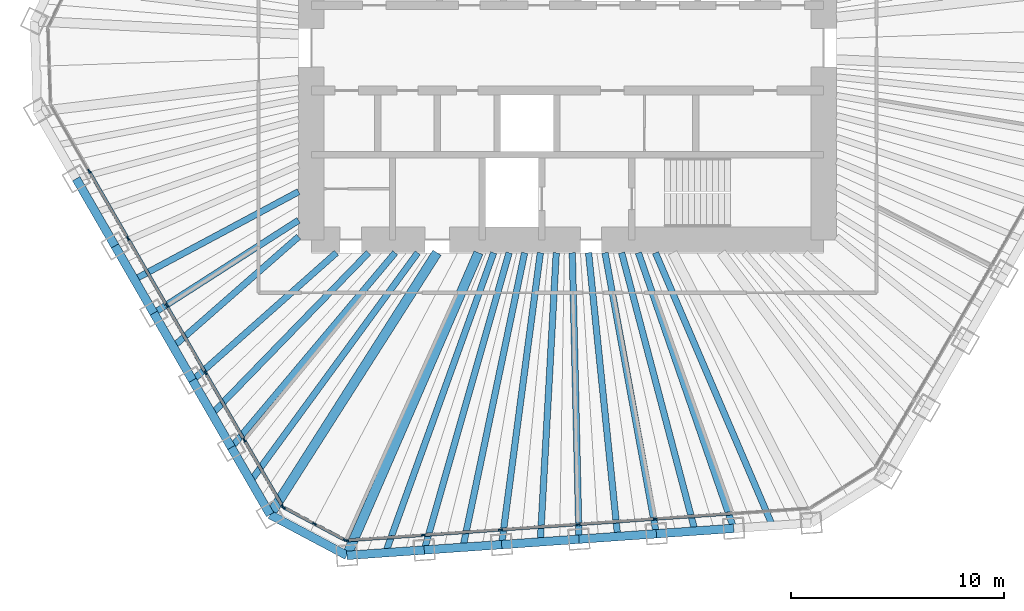
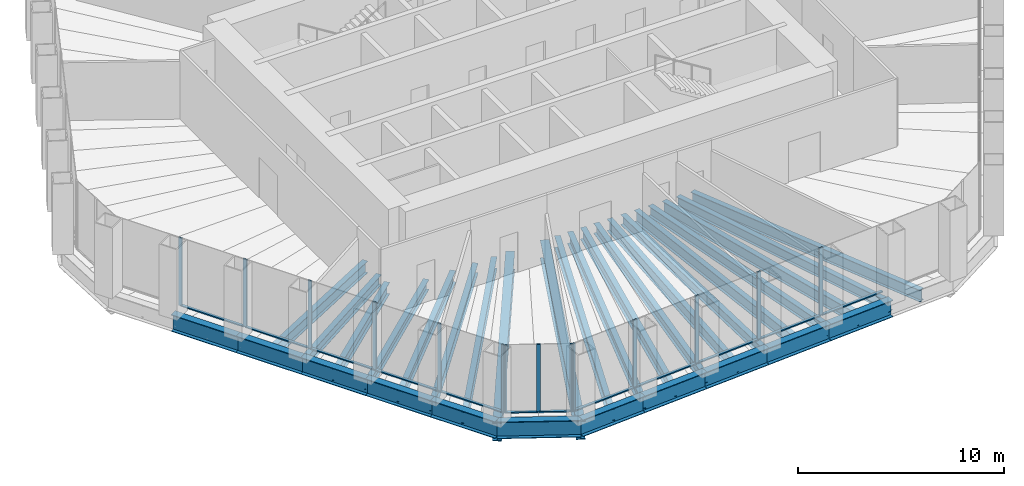
# One storey, part 2 of 13: 31 beams, 26 members, 3 elements without a shape of their own.
"""IFC4 building model written with IfcOpenShell, lengths in metres."""

from ifc_helpers import new_model, si_unit, direction, frame, origin, origin_2d, place, context, subcontext, project, spatial, rectangle, i_section, extrude, material, material_profile, profile_set, type_object, element, aggregate, save


model = new_model("IFC4")

# Units and contexts
model_context = context("Model", 3, precision=1e-05, world=origin(), true_north=direction((0.0, 1.0)))
body_context = subcontext(model_context, "Body", "Model", "MODEL_VIEW")
ifc_project = project(units=[si_unit("LENGTHUNIT", "METRE"), si_unit("AREAUNIT", "SQUARE_METRE"), si_unit("VOLUMEUNIT", "CUBIC_METRE"), si_unit("PLANEANGLEUNIT", "RADIAN"), si_unit("MASSUNIT", "GRAM", prefix="KILO")], contexts=[model_context])

# Site, building, storey
site_placement = place(None, origin())
site = spatial("IfcSite", under=ifc_project, at=site_placement, CompositionType="ELEMENT")
building_placement = place(site_placement, origin())
building = spatial("IfcBuilding", under=site, at=building_placement, Name="Qingtian Harvest Tower", CompositionType="ELEMENT")
storey_placement = place(building_placement, frame((0.0, 0.0, 222.39990234375)))
storey = spatial("IfcBuildingStorey", under=building, at=storey_placement, Name="L48", CompositionType="ELEMENT", Elevation=222.39990234375)

# Beams
ifc_material_1 = material(Name="Steel SM570MC", Category="steel")
ifc_material_profile_1 = material_profile(ifc_material_1, i_section(OverallWidth=0.449951171875, OverallDepth=1.10009765625, WebThickness=0.02197265625, FlangeThickness=0.044921875, at=origin_2d()), Name="H1100x450x22x45")
ifc_profile_set_1 = profile_set([ifc_material_profile_1], Name="Steel SM570MC")
beam_type_1 = type_object("IfcBeamType", Name="Corner floor beam FB8 H1100x450x22x45", PredefinedType="BEAM", material=ifc_profile_set_1)
beam_1_placement = place(storey_placement, frame((-10.33837890625, -23.779052734375, -0.719970703125), z_axis=(0.398714563353, 0.917075077063, 0.0), x_axis=(-0.917075077063, 0.398714563353, 0.0)))
element("IfcBeam", 1, at=beam_1_placement, inside=storey, type_object=beam_type_1, Name="Floor beam FB8 S6", PredefinedType="BEAM", context=body_context, shape_type="SweptSolid", body=[
    extrude(i_section(OverallWidth=0.449951171875, OverallDepth=1.10009765625, WebThickness=0.02197265625, FlangeThickness=0.044921875, at=origin_2d()), origin(), (0.0, 0.0, 1.0), 15.461181640625),
])
beam_2_placement = place(storey_placement, frame((-13.9326171875, -21.8681640625, -0.719970703125), z_axis=(0.537326103898, 0.8433745657, 0.0), x_axis=(-0.8433745657, 0.537326103898, 0.0)))
element("IfcBeam", 2, at=beam_2_placement, inside=storey, type_object=beam_type_1, Name="Floor beam FB8 SW0", PredefinedType="BEAM", context=body_context, shape_type="SweptSolid", body=[
    extrude(i_section(OverallWidth=0.449951171875, OverallDepth=1.10009765625, WebThickness=0.02197265625, FlangeThickness=0.044921875, at=origin_2d()), origin(), (0.0, 0.0, 1.0), 14.54638671875),
])
ifc_material_2 = material(Name="Steel SN490B", Category="steel")
ifc_material_profile_2 = material_profile(ifc_material_2, i_section(OverallWidth=0.300048828125, OverallDepth=0.699951171875, WebThickness=0.012939453125, FlangeThickness=0.02392578125, at=origin_2d()), Name="H700x300x13x24")
ifc_profile_set_2 = profile_set([ifc_material_profile_2], Name="Steel SN490B")
beam_type_2 = type_object("IfcBeamType", Name="Floor beam FB2 H700x300x13x24", PredefinedType="BEAM", material=ifc_profile_set_2)
beam_3_placement = place(storey_placement, frame((-6.713623046875, -23.525634765625, -0.52001953125), z_axis=(0.274411610503, 0.961612327303, 0.0), x_axis=(-0.961612327303, 0.274411610503, 0.0)))
element("IfcBeam", 3, at=beam_3_placement, inside=storey, type_object=beam_type_2, Name="Floor beam FB2 S5", PredefinedType="BEAM", context=body_context, shape_type="SweptSolid", body=[
    extrude(i_section(OverallWidth=0.300048828125, OverallDepth=0.699951171875, WebThickness=0.012939453125, FlangeThickness=0.02392578125, at=origin_2d()), origin(), (0.0, 0.0, 1.0), 14.4814453125),
])
ifc_material_3 = material(Name="Steel SN490B", Category="steel")
ifc_material_profile_3 = material_profile(ifc_material_3, i_section(OverallWidth=0.300048828125, OverallDepth=0.60009765625, WebThickness=0.011962890625, FlangeThickness=0.02001953125, at=origin_2d()), Name="H600x300x12x20")
ifc_profile_set_3 = profile_set([ifc_material_profile_3], Name="Steel SN490B")
beam_type_3 = type_object("IfcBeamType", Name="Floor beam FB3 H600x300x12x20", PredefinedType="BEAM", material=ifc_profile_set_3)
beam_4_placement = place(storey_placement, frame((7.78515625, -22.51171875, -0.469970703125), z_axis=(-0.326844175409, 0.945078242793, 0.0), x_axis=(-0.945078242793, -0.326844175409, 0.0)))
element("IfcBeam", 4, at=beam_4_placement, inside=storey, type_object=beam_type_3, Name="Floor beam FB3 S1", PredefinedType="BEAM", context=body_context, shape_type="SweptSolid", body=[
    extrude(i_section(OverallWidth=0.300048828125, OverallDepth=0.60009765625, WebThickness=0.011962890625, FlangeThickness=0.02001953125, at=origin_2d()), origin(), (0.0, 0.0, 1.0), 13.661865234375),
])
beam_5_placement = place(storey_placement, frame((4.160400390625, -22.76513671875, -0.469970703125), z_axis=(-0.179779537209, 0.983706926885, 0.0), x_axis=(-0.983706926885, -0.179779537209, 0.0)))
element("IfcBeam", 5, at=beam_5_placement, inside=storey, type_object=beam_type_3, Name="Floor beam FB3 S2", PredefinedType="BEAM", context=body_context, shape_type="SweptSolid", body=[
    extrude(i_section(OverallWidth=0.300048828125, OverallDepth=0.60009765625, WebThickness=0.011962890625, FlangeThickness=0.02001953125, at=origin_2d()), origin(), (0.0, 0.0, 1.0), 13.383056640625),
])
beam_6_placement = place(storey_placement, frame((0.53564453125, -23.018798828125, -0.469970703125), z_axis=(-0.023263902078, 0.999729358807, 0.0), x_axis=(-0.999729358807, -0.023263902078, 0.0)))
element("IfcBeam", 6, at=beam_6_placement, inside=storey, type_object=beam_type_3, Name="Floor beam FB3 S3", PredefinedType="BEAM", context=body_context, shape_type="SweptSolid", body=[
    extrude(i_section(OverallWidth=0.300048828125, OverallDepth=0.60009765625, WebThickness=0.011962890625, FlangeThickness=0.02001953125, at=origin_2d()), origin(), (0.0, 0.0, 1.0), 13.42236328125),
])
beam_7_placement = place(storey_placement, frame((-3.089111328125, -23.272216796875, -0.469970703125), z_axis=(0.131593229442, 0.991303799027, 0.0), x_axis=(-0.991303799027, 0.131593229442, 0.0)))
element("IfcBeam", 7, at=beam_7_placement, inside=storey, type_object=beam_type_3, Name="Floor beam FB3 S4", PredefinedType="BEAM", context=body_context, shape_type="SweptSolid", body=[
    extrude(i_section(OverallWidth=0.300048828125, OverallDepth=0.60009765625, WebThickness=0.011962890625, FlangeThickness=0.02001953125, at=origin_2d()), origin(), (0.0, 0.0, 1.0), 13.7919921875),
])
beam_8_placement = place(storey_placement, frame((-15.749267578125, -18.72119140625, -0.469970703125), z_axis=(0.643763532906, 0.765224485821, 0.0), x_axis=(-0.765224485821, 0.643763532906, 0.0)))
element("IfcBeam", 8, at=beam_8_placement, inside=storey, type_object=beam_type_3, Name="Floor beam FB3 SW1", PredefinedType="BEAM", context=body_context, shape_type="SweptSolid", body=[
    extrude(i_section(OverallWidth=0.300048828125, OverallDepth=0.60009765625, WebThickness=0.011962890625, FlangeThickness=0.02001953125, at=origin_2d()), origin(), (0.0, 0.0, 1.0), 11.91943359375),
])
beam_9_placement = place(storey_placement, frame((-17.566162109375, -15.574462890625, -0.469970703125), z_axis=(0.748259768664, 0.663405847577, 0.0), x_axis=(-0.663405847577, 0.748259768664, 0.0)))
element("IfcBeam", 9, at=beam_9_placement, inside=storey, type_object=beam_type_3, Name="Floor beam FB3 SW2", PredefinedType="BEAM", context=body_context, shape_type="SweptSolid", body=[
    extrude(i_section(OverallWidth=0.300048828125, OverallDepth=0.60009765625, WebThickness=0.011962890625, FlangeThickness=0.02001953125, at=origin_2d()), origin(), (0.0, 0.0, 1.0), 9.005615234375),
])
beam_10_placement = place(storey_placement, frame((-19.3828125, -12.427734375, -0.469970703125), z_axis=(0.841823714388, 0.539752567288, 0.0), x_axis=(-0.539752567288, 0.841823714388, 0.0)))
element("IfcBeam", 10, at=beam_10_placement, inside=storey, type_object=beam_type_3, Name="Floor beam FB3 SW3", PredefinedType="BEAM", context=body_context, shape_type="SweptSolid", body=[
    extrude(i_section(OverallWidth=0.300048828125, OverallDepth=0.60009765625, WebThickness=0.011962890625, FlangeThickness=0.02001953125, at=origin_2d()), origin(), (0.0, 0.0, 1.0), 8.05712890625),
])
ifc_material_4 = material(Name="Steel SN490B", Category="steel")
ifc_material_profile_4 = material_profile(ifc_material_4, i_section(OverallWidth=0.300048828125, OverallDepth=0.699951171875, WebThickness=0.012939453125, FlangeThickness=0.02392578125, at=origin_2d()), Name="H700x300x13x24")
ifc_profile_set_4 = profile_set([ifc_material_profile_4], Name="Steel SN490B")
beam_type_4 = type_object("IfcBeamType", Name="Floor joist J2 H700x300x13x24", PredefinedType="JOIST", material=ifc_profile_set_4)
beam_11_placement = place(storey_placement, frame((9.597412109375, -22.385009765625, -0.52001953125), z_axis=(-0.394052741766, 0.919087828614, 0.0), x_axis=(-0.919087828614, -0.394052741766, 0.0)))
element("IfcBeam", 11, at=beam_11_placement, inside=storey, type_object=beam_type_4, Name="Floor joist J2 S0", PredefinedType="JOIST", context=body_context, shape_type="SweptSolid", body=[
    extrude(i_section(OverallWidth=0.300048828125, OverallDepth=0.699951171875, WebThickness=0.012939453125, FlangeThickness=0.02392578125, at=origin_2d()), origin(), (0.0, 0.0, 1.0), 13.910400390625),
])
beam_12_placement = place(storey_placement, frame((5.97265625, -22.638427734375, -0.52001953125), z_axis=(-0.255103716232, 0.9669136952, 0.0), x_axis=(-0.9669136952, -0.255103716232, 0.0)))
element("IfcBeam", 12, at=beam_12_placement, inside=storey, type_object=beam_type_4, Name="Floor joist J2 S1", PredefinedType="JOIST", context=body_context, shape_type="SweptSolid", body=[
    extrude(i_section(OverallWidth=0.300048828125, OverallDepth=0.699951171875, WebThickness=0.012939453125, FlangeThickness=0.02392578125, at=origin_2d()), origin(), (0.0, 0.0, 1.0), 13.484375),
])
beam_13_placement = place(storey_placement, frame((2.347900390625, -22.89208984375, -0.52001953125), z_axis=(-0.102028865499, 0.994781438611, 0.0), x_axis=(-0.994781438611, -0.102028865499, 0.0)))
element("IfcBeam", 13, at=beam_13_placement, inside=storey, type_object=beam_type_4, Name="Floor joist J2 S2", PredefinedType="JOIST", context=body_context, shape_type="SweptSolid", body=[
    extrude(i_section(OverallWidth=0.300048828125, OverallDepth=0.699951171875, WebThickness=0.012939453125, FlangeThickness=0.02392578125, at=origin_2d()), origin(), (0.0, 0.0, 1.0), 13.36181640625),
])
beam_14_placement = place(storey_placement, frame((-1.276611328125, -23.1455078125, -0.52001953125), z_axis=(0.055069329716, 0.998482533109, 0.0), x_axis=(-0.998482533109, 0.055069329716, 0.0)))
element("IfcBeam", 14, at=beam_14_placement, inside=storey, type_object=beam_type_4, Name="Floor joist J2 S3", PredefinedType="JOIST", context=body_context, shape_type="SweptSolid", body=[
    extrude(i_section(OverallWidth=0.300048828125, OverallDepth=0.699951171875, WebThickness=0.012939453125, FlangeThickness=0.02392578125, at=origin_2d()), origin(), (0.0, 0.0, 1.0), 13.56591796875),
])
beam_15_placement = place(storey_placement, frame((-4.9013671875, -23.39892578125, -0.52001953125), z_axis=(0.205016322093, 0.978758554331, 0.0), x_axis=(-0.978758554331, 0.205016322093, 0.0)))
element("IfcBeam", 15, at=beam_15_placement, inside=storey, type_object=beam_type_4, Name="Floor joist J2 S4", PredefinedType="JOIST", context=body_context, shape_type="SweptSolid", body=[
    extrude(i_section(OverallWidth=0.300048828125, OverallDepth=0.699951171875, WebThickness=0.012939453125, FlangeThickness=0.02392578125, at=origin_2d()), origin(), (0.0, 0.0, 1.0), 14.098388671875),
])
beam_16_placement = place(storey_placement, frame((-8.526123046875, -23.65234375, -0.52001953125), z_axis=(0.339126305921, 0.940740850943, 0.0), x_axis=(-0.940740850943, 0.339126305921, 0.0)))
element("IfcBeam", 16, at=beam_16_placement, inside=storey, type_object=beam_type_4, Name="Floor joist J2 S5", PredefinedType="JOIST", context=body_context, shape_type="SweptSolid", body=[
    extrude(i_section(OverallWidth=0.300048828125, OverallDepth=0.699951171875, WebThickness=0.012939453125, FlangeThickness=0.02392578125, at=origin_2d()), origin(), (0.0, 0.0, 1.0), 14.9375),
])
beam_17_placement = place(storey_placement, frame((-14.841064453125, -20.294677734375, -0.52001953125), z_axis=(0.590288677526, 0.807192218238, 0.0), x_axis=(-0.807192218238, 0.590288677526, 0.0)))
element("IfcBeam", 17, at=beam_17_placement, inside=storey, type_object=beam_type_4, Name="Floor joist J2 SW0", PredefinedType="JOIST", context=body_context, shape_type="SweptSolid", body=[
    extrude(i_section(OverallWidth=0.300048828125, OverallDepth=0.699951171875, WebThickness=0.012939453125, FlangeThickness=0.02392578125, at=origin_2d()), origin(), (0.0, 0.0, 1.0), 13.2490234375),
])
beam_18_placement = place(storey_placement, frame((-16.65771484375, -17.14794921875, -0.52001953125), z_axis=(0.696777499009, 0.717287332158, 0.0), x_axis=(-0.717287332158, 0.696777499009, 0.0)))
element("IfcBeam", 18, at=beam_18_placement, inside=storey, type_object=beam_type_4, Name="Floor joist J2 SW1", PredefinedType="JOIST", context=body_context, shape_type="SweptSolid", body=[
    extrude(i_section(OverallWidth=0.300048828125, OverallDepth=0.699951171875, WebThickness=0.012939453125, FlangeThickness=0.02392578125, at=origin_2d()), origin(), (0.0, 0.0, 1.0), 10.522705078125),
])
beam_19_placement = place(storey_placement, frame((-18.474609375, -14.001220703125, -0.52001953125), z_axis=(0.751883296969, 0.659296221542, 0.0), x_axis=(-0.659296221542, 0.751883296969, 0.0)))
element("IfcBeam", 19, at=beam_19_placement, inside=storey, type_object=beam_type_4, Name="Floor joist J2 SW2", PredefinedType="JOIST", context=body_context, shape_type="SweptSolid", body=[
    extrude(i_section(OverallWidth=0.300048828125, OverallDepth=0.699951171875, WebThickness=0.012939453125, FlangeThickness=0.02392578125, at=origin_2d()), origin(), (0.0, 0.0, 1.0), 7.81298828125),
])
beam_20_placement = place(storey_placement, frame((-20.291259765625, -10.8544921875, -0.52001953125), z_axis=(0.881766503154, 0.471686160402, 0.0), x_axis=(-0.471686160402, 0.881766503154, 0.0)))
element("IfcBeam", 20, at=beam_20_placement, inside=storey, type_object=beam_type_4, Name="Floor joist J2 SW3", PredefinedType="JOIST", context=body_context, shape_type="SweptSolid", body=[
    extrude(i_section(OverallWidth=0.300048828125, OverallDepth=0.699951171875, WebThickness=0.012939453125, FlangeThickness=0.02392578125, at=origin_2d()), origin(), (0.0, 0.0, 1.0), 8.722412109375),
])

# Curtain wall, members
ifc_material_5 = material(Name="Bronze-anodised aluminium curtain wall", Category="aluminium")
curtain_wall_type = type_object("IfcCurtainWallType", Name="Curtain wall CW4 office", PredefinedType="USERDEFINED", material=ifc_material_5)
curtain_wall_1_placement = place(storey_placement, origin())
curtain_wall_1 = element("IfcCurtainWall", 21, at=curtain_wall_1_placement, inside=storey, type_object=curtain_wall_type, Name="Curtain wall CW4 L48 S0-5", ObjectType="RECESSED CURTAIN WALL", PredefinedType="USERDEFINED")
ifc_material_6 = material(Name="Bronze-anodised aluminium mullion", Category="aluminium")
ifc_material_profile_5 = material_profile(ifc_material_6, rectangle(XDim=0.06494140625, YDim=0.199951171875, at=origin_2d()), Name="AL 65x200")
ifc_profile_set_5 = profile_set([ifc_material_profile_5], Name="Bronze-anodised aluminium mullion")
member_type_1 = type_object("IfcMemberType", Name="Mullion CWM 65x200", PredefinedType="MULLION", material=ifc_profile_set_5)
member_1_placement = place(storey_placement, frame((4.111572265625, -22.06689453125, 0.0), z_axis=(0.0, 0.0, 1.0), x_axis=(0.069756473744, -0.99756405026, 0.0)))
member_1 = element("IfcMember", 22, at=member_1_placement, type_object=member_type_1, Name="CW4 mullion 3", PredefinedType="MULLION", context=body_context, shape_type="SweptSolid", body=[
    extrude(rectangle(XDim=0.06494140625, YDim=0.199951171875, at=origin_2d()), origin(), (0.0, 0.0, 1.0), 4.030029296875),
])
member_2_placement = place(storey_placement, frame((0.48681640625, -22.3203125, 0.0), z_axis=(0.0, 0.0, 1.0), x_axis=(0.069756473744, -0.99756405026, 0.0)))
member_2 = element("IfcMember", 23, at=member_2_placement, type_object=member_type_1, Name="CW4 mullion 4", PredefinedType="MULLION", context=body_context, shape_type="SweptSolid", body=[
    extrude(rectangle(XDim=0.06494140625, YDim=0.199951171875, at=origin_2d()), origin(), (0.0, 0.0, 1.0), 4.030029296875),
])
member_3_placement = place(storey_placement, frame((-3.137939453125, -22.573974609375, 0.0), z_axis=(0.0, 0.0, 1.0), x_axis=(0.069756473744, -0.99756405026, 0.0)))
member_3 = element("IfcMember", 24, at=member_3_placement, type_object=member_type_1, Name="CW4 mullion 5", PredefinedType="MULLION", context=body_context, shape_type="SweptSolid", body=[
    extrude(rectangle(XDim=0.06494140625, YDim=0.199951171875, at=origin_2d()), origin(), (0.0, 0.0, 1.0), 4.030029296875),
])
member_4_placement = place(storey_placement, frame((-6.762451171875, -22.827392578125, 0.0), z_axis=(0.0, 0.0, 1.0), x_axis=(0.069756473744, -0.99756405026, 0.0)))
member_4 = element("IfcMember", 25, at=member_4_placement, type_object=member_type_1, Name="CW4 mullion 6", PredefinedType="MULLION", context=body_context, shape_type="SweptSolid", body=[
    extrude(rectangle(XDim=0.06494140625, YDim=0.199951171875, at=origin_2d()), origin(), (0.0, 0.0, 1.0), 4.030029296875),
])
member_5_placement = place(storey_placement, frame((-10.354736328125, -23.07861328125, 0.0), z_axis=(0.0, 0.0, 1.0), x_axis=(0.069756473744, -0.99756405026, 0.0)))
member_5 = element("IfcMember", 26, at=member_5_placement, type_object=member_type_1, Name="CW4 mullion 7", PredefinedType="MULLION", context=body_context, shape_type="SweptSolid", body=[
    extrude(rectangle(XDim=0.06494140625, YDim=0.199951171875, at=origin_2d()), origin(), (0.0, 0.0, 1.0), 4.030029296875),
])

curtain_wall_2_placement = place(storey_placement, origin())
curtain_wall_2 = element("IfcCurtainWall", 27, at=curtain_wall_2_placement, inside=storey, type_object=curtain_wall_type, Name="Curtain wall CW4 L48 SC", ObjectType="RECESSED CURTAIN WALL", PredefinedType="USERDEFINED")
member_6_placement = place(storey_placement, frame((-10.416015625, -23.0654296875, 0.0), z_axis=(0.0, 0.0, 1.0), x_axis=(-0.469471562786, -0.882947592859, 0.0)))
member_6 = element("IfcMember", 28, at=member_6_placement, type_object=member_type_1, Name="CW4 mullion 1", PredefinedType="MULLION", context=body_context, shape_type="SweptSolid", body=[
    extrude(rectangle(XDim=0.06494140625, YDim=0.199951171875, at=origin_2d()), origin(), (0.0, 0.0, 1.0), 4.030029296875),
])
member_7_placement = place(storey_placement, frame((-11.85693359375, -22.29931640625, 0.0), z_axis=(0.0, 0.0, 1.0), x_axis=(-0.469471562786, -0.882947592859, 0.0)))
member_7 = element("IfcMember", 29, at=member_7_placement, type_object=member_type_1, Name="CW4 mullion 2", PredefinedType="MULLION", context=body_context, shape_type="SweptSolid", body=[
    extrude(rectangle(XDim=0.06494140625, YDim=0.199951171875, at=origin_2d()), origin(), (0.0, 0.0, 1.0), 4.030029296875),
])
member_8_placement = place(storey_placement, frame((-13.297607421875, -21.533203125, 0.0), z_axis=(0.0, 0.0, 1.0), x_axis=(-0.469471562786, -0.882947592859, 0.0)))
member_8 = element("IfcMember", 30, at=member_8_placement, type_object=member_type_1, Name="CW4 mullion 3", PredefinedType="MULLION", context=body_context, shape_type="SweptSolid", body=[
    extrude(rectangle(XDim=0.06494140625, YDim=0.199951171875, at=origin_2d()), origin(), (0.0, 0.0, 1.0), 4.030029296875),
])

curtain_wall_3_placement = place(storey_placement, origin())
curtain_wall_3 = element("IfcCurtainWall", 31, at=curtain_wall_3_placement, inside=storey, type_object=curtain_wall_type, Name="Curtain wall CW4 L48 SW0-5", ObjectType="RECESSED CURTAIN WALL", PredefinedType="USERDEFINED")
member_9_placement = place(storey_placement, frame((-13.342529296875, -21.489990234375, 0.0), z_axis=(0.0, 0.0, 1.0), x_axis=(-0.866025403784, -0.5, 0.0)))
member_9 = element("IfcMember", 32, at=member_9_placement, type_object=member_type_1, Name="CW4 mullion 1", PredefinedType="MULLION", context=body_context, shape_type="SweptSolid", body=[
    extrude(rectangle(XDim=0.06494140625, YDim=0.199951171875, at=origin_2d()), origin(), (0.0, 0.0, 1.0), 4.030029296875),
])
member_10_placement = place(storey_placement, frame((-15.14306640625, -18.371337890625, 0.0), z_axis=(0.0, 0.0, 1.0), x_axis=(-0.866025403784, -0.5, 0.0)))
member_10 = element("IfcMember", 33, at=member_10_placement, type_object=member_type_1, Name="CW4 mullion 2", PredefinedType="MULLION", context=body_context, shape_type="SweptSolid", body=[
    extrude(rectangle(XDim=0.06494140625, YDim=0.199951171875, at=origin_2d()), origin(), (0.0, 0.0, 1.0), 4.030029296875),
])
member_11_placement = place(storey_placement, frame((-16.9599609375, -15.224609375, 0.0), z_axis=(0.0, 0.0, 1.0), x_axis=(-0.866025403784, -0.5, 0.0)))
member_11 = element("IfcMember", 34, at=member_11_placement, type_object=member_type_1, Name="CW4 mullion 3", PredefinedType="MULLION", context=body_context, shape_type="SweptSolid", body=[
    extrude(rectangle(XDim=0.06494140625, YDim=0.199951171875, at=origin_2d()), origin(), (0.0, 0.0, 1.0), 4.030029296875),
])
member_12_placement = place(storey_placement, frame((-18.776611328125, -12.077880859375, 0.0), z_axis=(0.0, 0.0, 1.0), x_axis=(-0.866025403784, -0.5, 0.0)))
member_12 = element("IfcMember", 35, at=member_12_placement, type_object=member_type_1, Name="CW4 mullion 4", PredefinedType="MULLION", context=body_context, shape_type="SweptSolid", body=[
    extrude(rectangle(XDim=0.06494140625, YDim=0.199951171875, at=origin_2d()), origin(), (0.0, 0.0, 1.0), 4.030029296875),
])
member_13_placement = place(storey_placement, frame((-20.593505859375, -8.93115234375, 0.0), z_axis=(0.0, 0.0, 1.0), x_axis=(-0.866025403784, -0.5, 0.0)))
member_13 = element("IfcMember", 36, at=member_13_placement, type_object=member_type_1, Name="CW4 mullion 5", PredefinedType="MULLION", context=body_context, shape_type="SweptSolid", body=[
    extrude(rectangle(XDim=0.06494140625, YDim=0.199951171875, at=origin_2d()), origin(), (0.0, 0.0, 1.0), 4.030029296875),
])
member_14_placement = place(storey_placement, frame((-22.41015625, -5.784423828125, 0.0), z_axis=(0.0, 0.0, 1.0), x_axis=(-0.866025403784, -0.5, 0.0)))
member_14 = element("IfcMember", 37, at=member_14_placement, type_object=member_type_1, Name="CW4 mullion 6", PredefinedType="MULLION", context=body_context, shape_type="SweptSolid", body=[
    extrude(rectangle(XDim=0.06494140625, YDim=0.199951171875, at=origin_2d()), origin(), (0.0, 0.0, 1.0), 4.030029296875),
])

# Beams
ifc_material_7 = material(Name="Steel SN490B", Category="steel")
ifc_material_profile_6 = material_profile(ifc_material_7, i_section(OverallWidth=0.39990234375, OverallDepth=1.0, WebThickness=0.01904296875, FlangeThickness=0.035888671875, at=origin_2d()), Name="H1000x400x19x36")
ifc_profile_set_6 = profile_set([ifc_material_profile_6], Name="Steel SN490B")
beam_type_5 = type_object("IfcBeamType", Name="Spandrel beam SB3 H1000x400x19x36", PredefinedType="SPANDREL", material=ifc_profile_set_6)
for number, where, z_axis, x_axis, name in (
    (38, (7.78515625, -22.51171875, -0.5), (-0.997565001055, -0.069742875402, 0.0), (0.069742875402, -0.997565001055, 0.0), "Spandrel SB3 S1"),
    (39, (4.160400390625, -22.76513671875, -0.5), (-0.997560324246, -0.069809737785, 0.0), (0.069809737785, -0.997560324246, 0.0), "Spandrel SB3 S2"),
    (40, (0.53564453125, -23.018798828125, -0.5), (-0.997565001055, -0.069742875402, 0.0), (0.069742875402, -0.997565001055, 0.0), "Spandrel SB3 S3"),
):
    element("IfcBeam", number, at=place(storey_placement, frame(where, z_axis=z_axis, x_axis=x_axis)), inside=storey, type_object=beam_type_5, Name=name, PredefinedType="SPANDREL", context=body_context, shape_type="SweptSolid", body=[
        extrude(i_section(OverallWidth=0.39990234375, OverallDepth=1.0, WebThickness=0.01904296875, FlangeThickness=0.035888671875, at=origin_2d()), origin(), (0.0, 0.0, 1.0), 3.633544921875),
    ])
beam_21_placement = place(storey_placement, frame((-3.089111328125, -23.272216796875, -0.5), z_axis=(-0.997564674207, -0.069747550305, 0.0), x_axis=(0.069747550305, -0.997564674207, 0.0)))
element("IfcBeam", 41, at=beam_21_placement, inside=storey, type_object=beam_type_5, Name="Spandrel SB3 S4", PredefinedType="SPANDREL", context=body_context, shape_type="SweptSolid", body=[
    extrude(i_section(OverallWidth=0.39990234375, OverallDepth=1.0, WebThickness=0.01904296875, FlangeThickness=0.035888671875, at=origin_2d()), origin(), (0.0, 0.0, 1.0), 3.63330078125),
])
beam_22_placement = place(storey_placement, frame((-6.713623046875, -23.525634765625, -0.5), z_axis=(-0.997565001055, -0.069742875402, 0.0), x_axis=(0.069742875402, -0.997565001055, 0.0)))
element("IfcBeam", 42, at=beam_22_placement, inside=storey, type_object=beam_type_5, Name="Spandrel SB3 S5", PredefinedType="SPANDREL", context=body_context, shape_type="SweptSolid", body=[
    extrude(i_section(OverallWidth=0.39990234375, OverallDepth=1.0, WebThickness=0.01904296875, FlangeThickness=0.035888671875, at=origin_2d()), origin(), (0.0, 0.0, 1.0), 3.633544921875),
])
beam_23_placement = place(storey_placement, frame((-10.33837890625, -23.779052734375, -0.5), z_axis=(-0.882968133669, 0.469432929101, 0.0), x_axis=(-0.469432929101, -0.882968133669, 0.0)))
element("IfcBeam", 43, at=beam_23_placement, inside=storey, type_object=beam_type_5, Name="Spandrel SB3 SC", PredefinedType="SPANDREL", context=body_context, shape_type="SweptSolid", body=[
    extrude(i_section(OverallWidth=0.39990234375, OverallDepth=1.0, WebThickness=0.01904296875, FlangeThickness=0.035888671875, at=origin_2d()), origin(), (0.0, 0.0, 1.0), 4.070556640625),
])
beam_24_placement = place(storey_placement, frame((-13.9326171875, -21.8681640625, -0.5), z_axis=(-0.499947341849, 0.866055803848, 0.0), x_axis=(-0.866055803848, -0.499947341849, 0.0)))
element("IfcBeam", 44, at=beam_24_placement, inside=storey, type_object=beam_type_5, Name="Spandrel SB3 SW0", PredefinedType="SPANDREL", context=body_context, shape_type="SweptSolid", body=[
    extrude(i_section(OverallWidth=0.39990234375, OverallDepth=1.0, WebThickness=0.01904296875, FlangeThickness=0.035888671875, at=origin_2d()), origin(), (0.0, 0.0, 1.0), 3.6337890625),
])
for number, where, z_axis, x_axis, name in (
    (45, (-15.749267578125, -18.72119140625, -0.5), (-0.500026827678, 0.866009914263, 0.0), (-0.866009914263, -0.500026827678, 0.0), "Spandrel SB3 SW1"),
    (46, (-17.566162109375, -15.574462890625, -0.5), (-0.499976434558, 0.866039008871, 0.0), (-0.866039008871, -0.499976434558, 0.0), "Spandrel SB3 SW2"),
    (47, (-19.3828125, -12.427734375, -0.5), (-0.500026827678, 0.866009914263, 0.0), (-0.866009914263, -0.500026827678, 0.0), "Spandrel SB3 SW3"),
    (48, (-21.19970703125, -9.281005859375, -0.5), (-0.499976434558, 0.866039008871, 0.0), (-0.866039008871, -0.499976434558, 0.0), "Spandrel SB3 SW4"),
):
    element("IfcBeam", number, at=place(storey_placement, frame(where, z_axis=z_axis, x_axis=x_axis)), inside=storey, type_object=beam_type_5, Name=name, PredefinedType="SPANDREL", context=body_context, shape_type="SweptSolid", body=[
        extrude(i_section(OverallWidth=0.39990234375, OverallDepth=1.0, WebThickness=0.01904296875, FlangeThickness=0.035888671875, at=origin_2d()), origin(), (0.0, 0.0, 1.0), 3.633544921875),
    ])

# Member
ifc_material_8 = material(Name="Bronze-anodised aluminium transom", Category="aluminium")
ifc_material_profile_7 = material_profile(ifc_material_8, rectangle(XDim=0.14990234375, YDim=0.06494140625, at=origin_2d()), Name="AL 65x150")
ifc_profile_set_7 = profile_set([ifc_material_profile_7], Name="Bronze-anodised aluminium transom")
member_type_2 = type_object("IfcMemberType", Name="Transom CWT 65x150", PredefinedType="USERDEFINED", material=ifc_profile_set_7)
member_15_placement = place(storey_placement, frame((7.703857421875, -21.815673828125, 0.03271484375), z_axis=(-0.997562159126, -0.069783512949, 0.0), x_axis=(0.069783512949, -0.997562159126, 0.0)))
member_15 = element("IfcMember", 49, at=member_15_placement, type_object=member_type_2, Name="CW4 transom 2.1", ObjectType="TRANSOM", PredefinedType="USERDEFINED", context=body_context, shape_type="SweptSolid", body=[
    extrude(rectangle(XDim=0.14990234375, YDim=0.06494140625, at=origin_2d()), origin(), (0.0, 0.0, 1.0), 3.568603515625),
])

member_16_placement = place(storey_placement, frame((4.0791015625, -22.0693359375, 0.03271484375), z_axis=(-0.99756691944, -0.069715430417, 0.0), x_axis=(0.069715430417, -0.99756691944, 0.0)))
member_16 = element("IfcMember", 50, at=member_16_placement, type_object=member_type_2, Name="CW4 transom 3.1", ObjectType="TRANSOM", PredefinedType="USERDEFINED", context=body_context, shape_type="SweptSolid", body=[
    extrude(rectangle(XDim=0.14990234375, YDim=0.06494140625, at=origin_2d()), origin(), (0.0, 0.0, 1.0), 3.568603515625),
])

member_17_placement = place(storey_placement, frame((0.454345703125, -22.32275390625, 0.03271484375), z_axis=(-0.99756691944, -0.069715430417, 0.0), x_axis=(0.069715430417, -0.99756691944, 0.0)))
member_17 = element("IfcMember", 51, at=member_17_placement, type_object=member_type_2, Name="CW4 transom 4.1", ObjectType="TRANSOM", PredefinedType="USERDEFINED", context=body_context, shape_type="SweptSolid", body=[
    extrude(rectangle(XDim=0.14990234375, YDim=0.06494140625, at=origin_2d()), origin(), (0.0, 0.0, 1.0), 3.568603515625),
])

member_18_placement = place(storey_placement, frame((-3.170166015625, -22.576171875, 0.03271484375), z_axis=(-0.997567251922, -0.069710672727, 0.0), x_axis=(0.069710672727, -0.997567251922, 0.0)))
member_18 = element("IfcMember", 52, at=member_18_placement, type_object=member_type_2, Name="CW4 transom 5.1", ObjectType="TRANSOM", PredefinedType="USERDEFINED", context=body_context, shape_type="SweptSolid", body=[
    extrude(rectangle(XDim=0.14990234375, YDim=0.06494140625, at=origin_2d()), origin(), (0.0, 0.0, 1.0), 3.56884765625),
])

member_19_placement = place(storey_placement, frame((-6.794921875, -22.82958984375, 0.03271484375), z_axis=(-0.997565839557, -0.069730880888, 0.0), x_axis=(0.069730880888, -0.997565839557, 0.0)))
member_19 = element("IfcMember", 53, at=member_19_placement, type_object=member_type_2, Name="CW4 transom 6.1", ObjectType="TRANSOM", PredefinedType="USERDEFINED", context=body_context, shape_type="SweptSolid", body=[
    extrude(rectangle(XDim=0.14990234375, YDim=0.06494140625, at=origin_2d()), origin(), (0.0, 0.0, 1.0), 3.5361328125),
])

aggregate(curtain_wall_1, [member_1, member_2, member_3, member_4, member_5, member_15, member_16, member_17, member_18, member_19])

member_20_placement = place(storey_placement, frame((-10.444580078125, -23.05029296875, 0.03271484375), z_axis=(-0.882960338349, 0.46944759122, 0.0), x_axis=(-0.46944759122, -0.882960338349, 0.0)))
member_20 = element("IfcMember", 54, at=member_20_placement, type_object=member_type_2, Name="CW4 transom 1.1", ObjectType="TRANSOM", PredefinedType="USERDEFINED", context=body_context, shape_type="SweptSolid", body=[
    extrude(rectangle(XDim=0.14990234375, YDim=0.06494140625, at=origin_2d()), origin(), (0.0, 0.0, 1.0), 1.56689453125),
])

member_21_placement = place(storey_placement, frame((-11.885498046875, -22.2841796875, 0.03271484375), z_axis=(-0.882960338349, 0.46944759122, 0.0), x_axis=(-0.46944759122, -0.882960338349, 0.0)))
member_21 = element("IfcMember", 55, at=member_21_placement, type_object=member_type_2, Name="CW4 transom 2.1", ObjectType="TRANSOM", PredefinedType="USERDEFINED", context=body_context, shape_type="SweptSolid", body=[
    extrude(rectangle(XDim=0.14990234375, YDim=0.06494140625, at=origin_2d()), origin(), (0.0, 0.0, 1.0), 1.56689453125),
])

aggregate(curtain_wall_2, [member_6, member_7, member_8, member_20, member_21])

member_22_placement = place(storey_placement, frame((-13.35888671875, -21.461669921875, 0.03271484375), z_axis=(-0.500015305566, 0.866016566931, 0.0), x_axis=(-0.866016566931, -0.500015305566, 0.0)))
member_22 = element("IfcMember", 56, at=member_22_placement, type_object=member_type_2, Name="CW4 transom 1.1", ObjectType="TRANSOM", PredefinedType="USERDEFINED", context=body_context, shape_type="SweptSolid", body=[
    extrude(rectangle(XDim=0.14990234375, YDim=0.06494140625, at=origin_2d()), origin(), (0.0, 0.0, 1.0), 3.5361328125),
])

member_23_placement = place(storey_placement, frame((-15.159423828125, -18.34326171875, 0.03271484375), z_axis=(-0.499965259726, 0.866045460162, 0.0), x_axis=(-0.866045460162, -0.499965259726, 0.0)))
member_23 = element("IfcMember", 57, at=member_23_placement, type_object=member_type_2, Name="CW4 transom 2.1", ObjectType="TRANSOM", PredefinedType="USERDEFINED", context=body_context, shape_type="SweptSolid", body=[
    extrude(rectangle(XDim=0.14990234375, YDim=0.06494140625, at=origin_2d()), origin(), (0.0, 0.0, 1.0), 3.568603515625),
])

member_24_placement = place(storey_placement, frame((-16.97607421875, -15.1962890625, 0.03271484375), z_axis=(-0.500046194516, 0.865998731726, 0.0), x_axis=(-0.865998731726, -0.500046194516, 0.0)))
member_24 = element("IfcMember", 58, at=member_24_placement, type_object=member_type_2, Name="CW4 transom 3.1", ObjectType="TRANSOM", PredefinedType="USERDEFINED", context=body_context, shape_type="SweptSolid", body=[
    extrude(rectangle(XDim=0.14990234375, YDim=0.06494140625, at=origin_2d()), origin(), (0.0, 0.0, 1.0), 3.568603515625),
])

member_25_placement = place(storey_placement, frame((-18.79296875, -12.049560546875, 0.03271484375), z_axis=(-0.499994883695, 0.866028357664, 0.0), x_axis=(-0.866028357664, -0.499994883695, 0.0)))
member_25 = element("IfcMember", 59, at=member_25_placement, type_object=member_type_2, Name="CW4 transom 4.1", ObjectType="TRANSOM", PredefinedType="USERDEFINED", context=body_context, shape_type="SweptSolid", body=[
    extrude(rectangle(XDim=0.14990234375, YDim=0.06494140625, at=origin_2d()), origin(), (0.0, 0.0, 1.0), 3.568359375),
])

member_26_placement = place(storey_placement, frame((-20.609619140625, -8.90283203125, 0.03271484375), z_axis=(-0.500046194516, 0.865998731726, 0.0), x_axis=(-0.865998731726, -0.500046194516, 0.0)))
member_26 = element("IfcMember", 60, at=member_26_placement, type_object=member_type_2, Name="CW4 transom 5.1", ObjectType="TRANSOM", PredefinedType="USERDEFINED", context=body_context, shape_type="SweptSolid", body=[
    extrude(rectangle(XDim=0.14990234375, YDim=0.06494140625, at=origin_2d()), origin(), (0.0, 0.0, 1.0), 3.568603515625),
])

aggregate(curtain_wall_3, [member_9, member_10, member_11, member_12, member_13, member_14, member_22, member_23, member_24, member_25, member_26])

save(model, "model.ifc")
